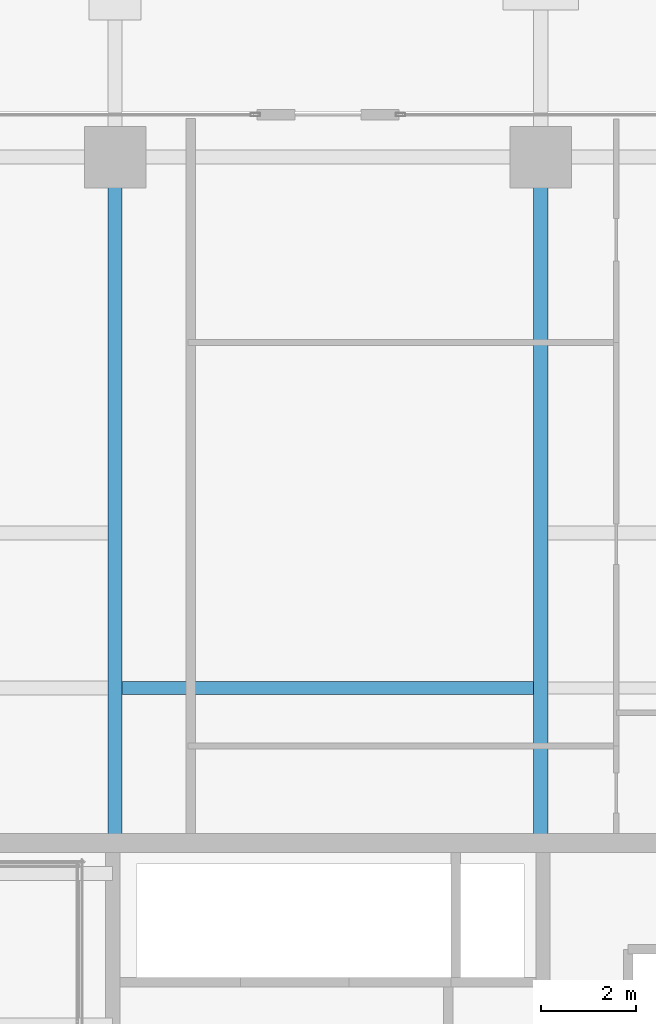
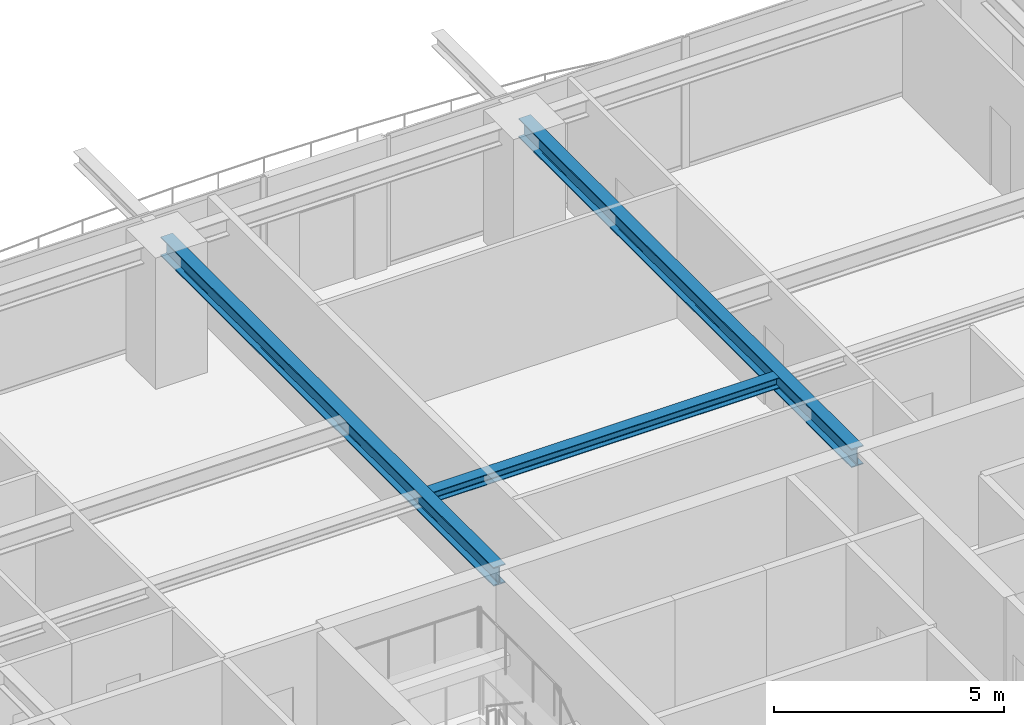
# One storey, part 17 of 33: 3 beams.
"""IFC4 building model written with IfcOpenShell, lengths in metres."""

from ifc_helpers import new_model, si_unit, direction, frame, origin, origin_2d, place, context, subcontext, project, spatial, i_section, extrude, source, transform, mapped, material, material_profile, profile_set, type_object, element, save


model = new_model("IFC4")

# Units and contexts
model_context = context("Model", 3, precision=1e-05, world=origin(), true_north=direction((0.0, 1.0)))
body_context = subcontext(model_context, "Body", "Model", "MODEL_VIEW")
ifc_project = project(units=[si_unit("LENGTHUNIT", "METRE"), si_unit("AREAUNIT", "SQUARE_METRE"), si_unit("VOLUMEUNIT", "CUBIC_METRE"), si_unit("PLANEANGLEUNIT", "RADIAN"), si_unit("MASSUNIT", "GRAM", prefix="KILO")], contexts=[model_context])

# Site, building, storey
site_placement = place(None, origin())
site = spatial("IfcSite", under=ifc_project, at=site_placement, CompositionType="ELEMENT")
building_placement = place(site_placement, origin())
building = spatial("IfcBuilding", under=site, at=building_placement, Name="Serunith Strait Residences", CompositionType="ELEMENT")
storey_placement = place(building_placement, frame((0.0, 0.0, 165.14990234375)))
storey = spatial("IfcBuildingStorey", under=building, at=storey_placement, Name="L41", CompositionType="ELEMENT", Elevation=165.14990234375)

# Beams
ifc_material = material(Name="Steel S355J2", Category="steel")
ifc_material_profile_1 = material_profile(ifc_material, i_section(OverallWidth=0.280029296875, OverallDepth=0.280029296875, WebThickness=0.010498046875, FlangeThickness=0.01806640625, FilletRadius=0.02392578125, at=origin_2d()), Name="HEB 280")
ifc_profile_set_1 = profile_set([ifc_material_profile_1], Name="Steel S355J2")
beam_type_1 = type_object("IfcBeamType", Name="BM-HEB280", PredefinedType="JOIST", material=ifc_profile_set_1)
shared_shape_1 = source(origin(), body_context, "Body", "SweptSolid", [
    extrude(i_section(OverallWidth=0.280029296875, OverallDepth=0.280029296875, WebThickness=0.010498046875, FlangeThickness=0.01806640625, FilletRadius=0.02392578125, at=origin_2d()), origin(), (0.0, 0.0, 1.0), 8.699951171875),
])
beam_placement = place(storey_placement, frame((28.050048828125, 36.875, 3.34716796875), z_axis=(1.0, 0.0, 0.0), x_axis=(0.0, 1.0, 0.0)))
element("IfcBeam", 1, at=beam_placement, inside=storey, type_object=beam_type_1, Name="L41 Composite Floor Joist 05", PredefinedType="JOIST", context=body_context, shape_type="MappedRepresentation", body=[
    mapped(shared_shape_1, transform((0.0, 0.0, 0.0), scale=1.0)),
])
ifc_material_profile_2 = material_profile(ifc_material, i_section(OverallWidth=0.300048828125, OverallDepth=0.5, WebThickness=0.014404296875, FlangeThickness=0.028076171875, FilletRadius=0.027099609375, at=origin_2d()), Name="HEB 500")
ifc_profile_set_2 = profile_set([ifc_material_profile_2], Name="Steel S355J2")
beam_type_2 = type_object("IfcBeamType", Name="BM-HEB500", PredefinedType="BEAM", material=ifc_profile_set_2)
shared_shape_2 = source(origin(), body_context, "Body", "SweptSolid", [
    extrude(i_section(OverallWidth=0.300048828125, OverallDepth=0.5, WebThickness=0.014404296875, FlangeThickness=0.028076171875, FilletRadius=0.027099609375, at=origin_2d()), origin(), (0.0, 0.0, 1.0), 14.5),
])
for number, where, z_axis, x_axis, name in (
    (2, (27.89990234375, 33.60009765625, 3.237060546875), (0.0, 1.0, 0.0), (-1.0, 0.0, 0.0), "L41 Primary Floor Girder TC-N2"),
    (3, (36.89990234375, 33.60009765625, 3.237060546875), (0.0, 1.0, 0.0), (-1.0, 0.0, 0.0), "L41 Primary Floor Girder TC-N3"),
):
    element("IfcBeam", number, at=place(storey_placement, frame(where, z_axis=z_axis, x_axis=x_axis)), inside=storey, type_object=beam_type_2, Name=name, PredefinedType="BEAM", context=body_context, shape_type="MappedRepresentation", body=[
        mapped(shared_shape_2, transform((0.0, 0.0, 0.0), scale=1.0)),
    ])

save(model, "model.ifc")
